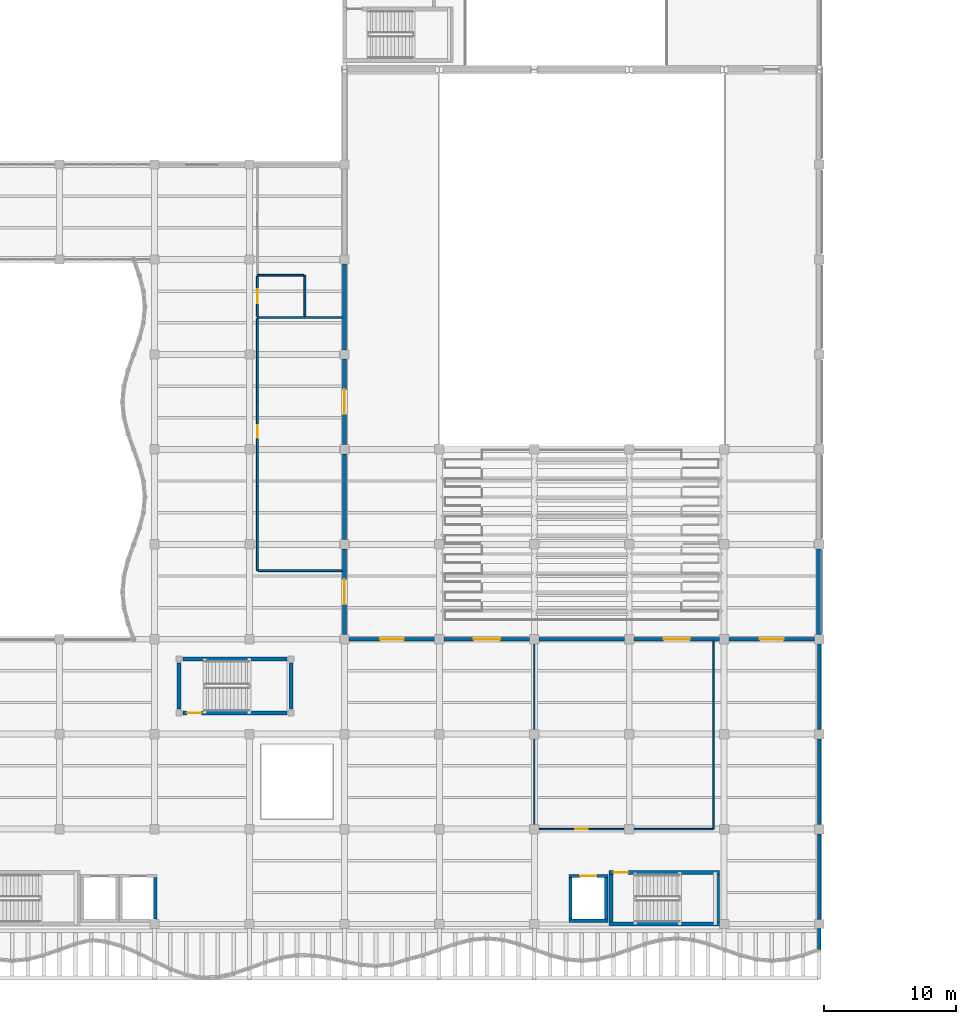
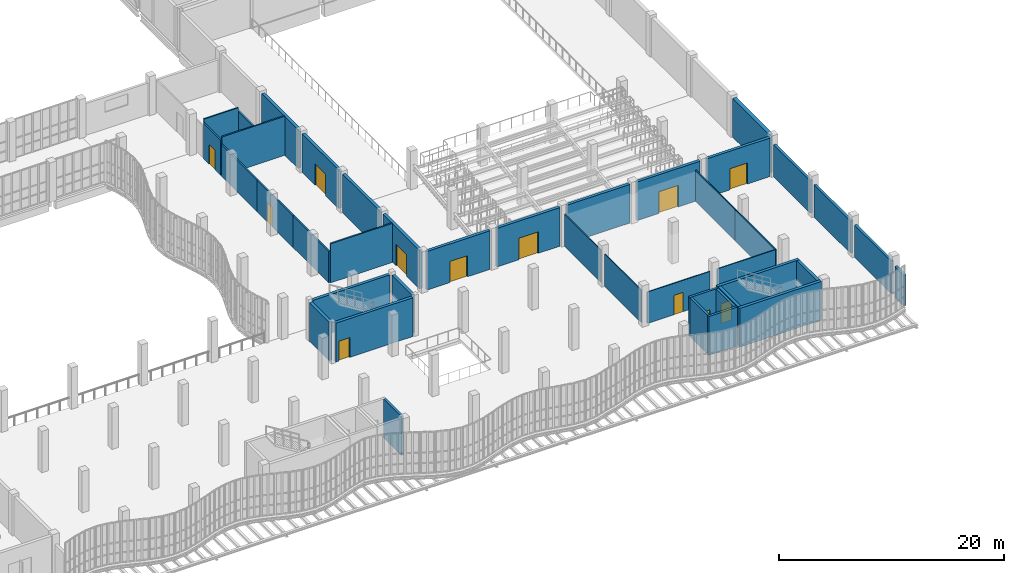
# One storey, part 90 of 108: 41 walls, 12 doors, 12 openings.
"""IFC4 building model written with IfcOpenShell, lengths in metres."""

from ifc_helpers import new_model, si_unit, direction, frame, frame_2d, origin, place, context, subcontext, project, spatial, rectangle, extrude, material, layer, layer_set, type_object, element, fill, save


model = new_model("IFC4")

# Units and contexts
model_context = context("Model", 3, precision=1e-05, world=origin(), true_north=direction((0.0, 1.0)))
body_context = subcontext(model_context, "Body", "Model", "MODEL_VIEW")
ifc_project = project(units=[si_unit("LENGTHUNIT", "METRE"), si_unit("AREAUNIT", "SQUARE_METRE"), si_unit("VOLUMEUNIT", "CUBIC_METRE"), si_unit("PLANEANGLEUNIT", "RADIAN"), si_unit("MASSUNIT", "GRAM", prefix="KILO"), si_unit("THERMODYNAMICTEMPERATUREUNIT", "KELVIN"), si_unit("POWERUNIT", "WATT")], contexts=[model_context])

# Site, building, storey
site_placement = place(None, origin())
site = spatial("IfcSite", under=ifc_project, at=site_placement, CompositionType="ELEMENT")
building_placement = place(site_placement, origin())
building = spatial("IfcBuilding", under=site, at=building_placement, Name="Kaldorven Railside Theatre", CompositionType="ELEMENT")
storey_placement = place(building_placement, frame((0.0, 0.0, 5.39990234375)))
storey = spatial("IfcBuildingStorey", under=building, at=storey_placement, Name="L01", CompositionType="ELEMENT", Elevation=5.39990234375)

# Walls
ifc_material_1 = material(Name="Architectural concrete C40/50", Category="concrete")
ifc_layer_1 = layer(ifc_material_1, 0.3798828125, Name="Architectural concrete C40/50")
ifc_layer_set_1 = layer_set([ifc_layer_1], Name="Architectural concrete C40/50")
wall_type_1 = type_object("IfcWallType", Name="WL-EW02", PredefinedType="SHEAR", material=ifc_layer_set_1)
wall_1_placement = place(storey_placement, frame((123.199951171875, 47.64990234375, 0.0), z_axis=(0.0, 0.0, 1.0), x_axis=(0.0, -1.0, 0.0)))
element("IfcWall", 1, at=wall_1_placement, inside=storey, type_object=wall_type_1, Name="V1 L01 Exterior Wall EW-0250", PredefinedType="SHEAR", context=body_context, shape_type="SweptSolid", body=[
    extrude(rectangle(XDim=6.5, YDim=0.3798828125, at=frame_2d((3.25, 0.0))), origin(), (0.0, 0.0, 1.0), 4.2001953125),
])
ifc_material_2 = material(Name="Precast concrete C40/50", Category="concrete")
ifc_layer_2 = layer(ifc_material_2, 0.25, Name="Precast concrete C40/50")
ifc_layer_set_2 = layer_set([ifc_layer_2], Name="Precast concrete C40/50")
wall_type_2 = type_object("IfcWallType", Name="WL-EW06", PredefinedType="SOLIDWALL", material=ifc_layer_set_2)
for number, where, z_axis, x_axis, name in (
    (2, (123.199951171875, 40.449951171875, 0.0), (0.0, 0.0, 1.0), (0.0, -1.0, 0.0), "V5 L01 Exterior Wall EW-0215"),
    (3, (123.199951171875, 33.25, 0.0), (0.0, 0.0, 1.0), (0.0, -1.0, 0.0), "V5 L01 Exterior Wall EW-0216"),
    (4, (123.199951171875, 26.050048828125, 0.0), (0.0, 0.0, 1.0), (0.0, -1.0, 0.0), "V5 L01 Exterior Wall EW-0217"),
):
    element("IfcWall", number, at=place(storey_placement, frame(where, z_axis=z_axis, x_axis=x_axis)), inside=storey, type_object=wall_type_2, Name=name, PredefinedType="SOLIDWALL", context=body_context, shape_type="SweptSolid", body=[
        extrude(rectangle(XDim=6.5, YDim=0.25, at=frame_2d((3.25, 0.0))), origin(), (0.0, 0.0, 1.0), 3.51513671875),
    ])
wall_2_placement = place(storey_placement, frame((123.199951171875, 17.25, 0.0), z_axis=(0.0, 0.0, 1.0), x_axis=(0.0, 1.0, 0.0)))
element("IfcWall", 5, at=wall_2_placement, inside=storey, type_object=wall_type_2, Name="L01 Sinusoidal Foyer E End Return Wall EW-0471", PredefinedType="SOLIDWALL", context=body_context, shape_type="SweptSolid", body=[
    extrude(rectangle(XDim=1.60009765625, YDim=0.25, at=frame_2d((0.800048828125, 0.0))), origin(), (0.0, 0.0, 1.0), 3.375),
])
ifc_material_3 = material(Name="Acoustic gypsum board")
ifc_layer_3 = layer(ifc_material_3, 0.14990234375, Name="Acoustic gypsum board")
ifc_layer_set_3 = layer_set([ifc_layer_3], Name="Acoustic gypsum board")
wall_type_3 = type_object("IfcWallType", Name="WL-IW-AC1", PredefinedType="PARTITIONING", material=ifc_layer_set_3)
wall_3_placement = place(storey_placement, frame((87.048095703125, 65.199951171875, 0.0), z_axis=(0.0, 0.0, 1.0), x_axis=(-1.0, 0.0, 0.0)))
element("IfcWall", 6, at=wall_3_placement, inside=storey, type_object=wall_type_3, Name="L01 Interior Wall IW-0538", PredefinedType="PARTITIONING", context=body_context, shape_type="SweptSolid", body=[
    extrude(rectangle(XDim=6.447998046875, YDim=0.14990234375, at=frame_2d((3.22412109375, 0.0))), origin(), (0.0, 0.0, 1.0), 4.25),
])
wall_4_placement = place(storey_placement, frame((80.60009765625, 65.123046875, 0.0), z_axis=(0.0, 0.0, 1.0), x_axis=(0.0, -1.0, 0.0)))
element("IfcWall", 7, at=wall_4_placement, inside=storey, type_object=wall_type_3, Name="L01 Interior Wall IW-0539", PredefinedType="PARTITIONING", context=body_context, shape_type="SweptSolid", body=[
    extrude(rectangle(XDim=6.322998046875, YDim=0.14990234375, at=frame_2d((3.16162109375, 0.0))), origin(), (0.0, 0.0, 1.0), 3.445068359375),
])

# Wall, opening, door
wall_5_placement = place(storey_placement, frame((80.60009765625, 58.800048828125, 0.0), z_axis=(0.0, 0.0, 1.0), x_axis=(0.0, -1.0, 0.0)))
wall_5 = element("IfcWall", 8, at=wall_5_placement, inside=storey, type_object=wall_type_3, Name="L01 Interior Wall IW-0540", PredefinedType="PARTITIONING", context=body_context, shape_type="SweptSolid", body=[
    extrude(rectangle(XDim=6.400146484375, YDim=0.14990234375, at=frame_2d((3.2001953125, 0.0))), origin(), (0.0, 0.0, 1.0), 3.445068359375),
])
opening_1_placement = place(wall_5_placement, frame((1.7900390625, 0.0, 0.0)))
opening_1 = element("IfcOpeningElement", 9, at=opening_1_placement, cuts=wall_5, Name="Opening ID-0125", PredefinedType="OPENING", context=body_context, shape_type="SweptSolid", body=[
    extrude(rectangle(XDim=0.919921875, YDim=2.10009765625, at=frame_2d((0.4599609375, 1.050048828125))), frame((0.0, 0.0849609375, 0.0), z_axis=(0.0, -1.0, 0.0), x_axis=(1.0, 0.0, 0.0)), (0.0, 0.0, 1.0), 0.169921875),
])
ifc_material_4 = material(Name="Acoustic hardwood timber", Category="wood")
door_type_1 = type_object("IfcDoorType", Name="DR-ID-WC1", OperationType="NOTDEFINED", PredefinedType="DOOR", material=ifc_material_4)
door_1_placement = place(opening_1_placement, origin())
door_1 = element("IfcDoor", 10, at=door_1_placement, inside=storey, type_object=door_type_1, Name="Circle Public WC Entry Door", OperationType="SINGLE_SWING_LEFT", OverallHeight=2.10009765625, OverallWidth=0.919921875, PredefinedType="DOOR", context=body_context, shape_type="SweptSolid", body=[
    extrude(rectangle(XDim=0.919921875, YDim=2.10009765625, at=frame_2d((0.4599609375, 1.050048828125))), frame((0.0, 0.02490234375, 0.0), z_axis=(0.0, -1.0, 0.0), x_axis=(1.0, 0.0, 0.0)), (0.0, 0.0, 1.0), 0.050048828125),
])
fill(opening_1, door_1)

# Walls
wall_6_placement = place(storey_placement, frame((80.60009765625, 52.39990234375, 0.0), z_axis=(0.0, 0.0, 1.0), x_axis=(0.0, -1.0, 0.0)))
element("IfcWall", 11, at=wall_6_placement, inside=storey, type_object=wall_type_3, Name="L01 Interior Wall IW-0541", PredefinedType="PARTITIONING", context=body_context, shape_type="SweptSolid", body=[
    extrude(rectangle(XDim=6.39990234375, YDim=0.14990234375, at=frame_2d((3.199951171875, 0.0))), origin(), (0.0, 0.0, 1.0), 3.445068359375),
])
wall_7_placement = place(storey_placement, frame((80.677001953125, 46.0, 0.0), z_axis=(0.0, 0.0, 1.0), x_axis=(1.0, 0.0, 0.0)))
element("IfcWall", 12, at=wall_7_placement, inside=storey, type_object=wall_type_3, Name="L01 Interior Wall IW-0542", PredefinedType="PARTITIONING", context=body_context, shape_type="SweptSolid", body=[
    extrude(rectangle(XDim=6.37109375, YDim=0.14990234375, at=frame_2d((3.185546875, 0.0))), origin(), (0.0, 0.0, 1.0), 4.25),
])
ifc_layer_4 = layer(ifc_material_3, 0.139892578125, Name="Acoustic gypsum board")
ifc_layer_set_4 = layer_set([ifc_layer_4], Name="Acoustic gypsum board")
wall_type_4 = type_object("IfcWallType", Name="WL-IW-AC2", PredefinedType="PARTITIONING", material=ifc_layer_set_4)
wall_8_placement = place(storey_placement, frame((84.199951171875, 65.277099609375, 0.0), z_axis=(0.0, 0.0, 1.0), x_axis=(0.0, 1.0, 0.0)))
element("IfcWall", 13, at=wall_8_placement, inside=storey, type_object=wall_type_4, Name="L01 Interior Wall IW-0543", PredefinedType="PARTITIONING", context=body_context, shape_type="SweptSolid", body=[
    extrude(rectangle(XDim=3.122802734375, YDim=0.139892578125, at=frame_2d((1.5615234375, 0.0))), origin(), (0.0, 0.0, 1.0), 3.84521484375),
])
wall_9_placement = place(storey_placement, frame((84.1279296875, 68.39990234375, 0.0), z_axis=(0.0, 0.0, 1.0), x_axis=(-1.0, 0.0, 0.0)))
element("IfcWall", 14, at=wall_9_placement, inside=storey, type_object=wall_type_4, Name="L01 Interior Wall IW-0544", PredefinedType="PARTITIONING", context=body_context, shape_type="SweptSolid", body=[
    extrude(rectangle(XDim=3.52783203125, YDim=0.139892578125, at=frame_2d((1.763916015625, 0.0))), origin(), (0.0, 0.0, 1.0), 4.25),
])

# Wall, opening, door
wall_10_placement = place(storey_placement, frame((80.60009765625, 68.327880859375, 0.0), z_axis=(0.0, 0.0, 1.0), x_axis=(0.0, -1.0, 0.0)))
wall_10 = element("IfcWall", 15, at=wall_10_placement, inside=storey, type_object=wall_type_4, Name="L01 Interior Wall IW-0545", PredefinedType="PARTITIONING", context=body_context, shape_type="SweptSolid", body=[
    extrude(rectangle(XDim=3.05078125, YDim=0.139892578125, at=frame_2d((1.525390625, 0.0))), origin(), (0.0, 0.0, 1.0), 3.84521484375),
])
opening_2_placement = place(wall_10_placement, frame((1.00048828125, 0.0, 0.0)))
opening_2 = element("IfcOpeningElement", 16, at=opening_2_placement, cuts=wall_10, Name="Opening ID-0126", PredefinedType="OPENING", context=body_context, shape_type="SweptSolid", body=[
    extrude(rectangle(XDim=1.050048828125, YDim=2.1201171875, at=frame_2d((0.52490234375, 1.06005859375))), frame((0.0, 0.080078125, 0.0), z_axis=(0.0, -1.0, 0.0), x_axis=(1.0, 0.0, 0.0)), (0.0, 0.0, 1.0), 0.159912109375),
])
door_type_2 = type_object("IfcDoorType", Name="DR-ID-AWC1", OperationType="NOTDEFINED", PredefinedType="DOOR", material=ifc_material_4)
door_2_placement = place(opening_2_placement, origin())
door_2 = element("IfcDoor", 17, at=door_2_placement, inside=storey, type_object=door_type_2, Name="Circle Accessible WC Entry Door", OperationType="SINGLE_SWING_RIGHT", OverallHeight=2.1201171875, OverallWidth=1.050048828125, PredefinedType="DOOR", context=body_context, shape_type="SweptSolid", body=[
    extrude(rectangle(XDim=1.050048828125, YDim=2.1201171875, at=frame_2d((0.52490234375, 1.06005859375))), frame((0.0, 0.02490234375, 0.0), z_axis=(0.0, -1.0, 0.0), x_axis=(1.0, 0.0, 0.0)), (0.0, 0.0, 1.0), 0.050048828125),
])
fill(opening_2, door_2)

# Walls
ifc_material_5 = material(Name="Concrete C40/50", Category="concrete")
ifc_layer_5 = layer(ifc_material_5, 0.300048828125, Name="Concrete C40/50")
ifc_layer_set_5 = layer_set([ifc_layer_5], Name="Concrete C40/50")
wall_type_5 = type_object("IfcWallType", Name="WL-IW-CORE", PredefinedType="SHEAR", material=ifc_layer_set_5)
wall_11_placement = place(storey_placement, frame((115.64990234375, 19.199951171875, 0.0), z_axis=(0.0, 0.0, 1.0), x_axis=(-1.0, 0.0, 0.0)))
element("IfcWall", 18, at=wall_11_placement, inside=storey, type_object=wall_type_5, Name="L01 Core Wall CW-0097", PredefinedType="SHEAR", context=body_context, shape_type="SweptSolid", body=[
    extrude(rectangle(XDim=8.39990234375, YDim=0.300048828125, at=frame_2d((4.199951171875, 0.0))), origin(), (0.0, 0.0, 1.0), 4.22021484375),
])
wall_12_placement = place(storey_placement, frame((107.39990234375, 19.35205078125, 0.0), z_axis=(0.0, 0.0, 1.0), x_axis=(0.0, 1.0, 0.0)))
element("IfcWall", 19, at=wall_12_placement, inside=storey, type_object=wall_type_5, Name="L01 Core Wall CW-0098", PredefinedType="SHEAR", context=body_context, shape_type="SweptSolid", body=[
    extrude(rectangle(XDim=3.597900390625, YDim=0.300048828125, at=frame_2d((1.798828125, 0.0))), origin(), (0.0, 0.0, 1.0), 4.22021484375),
])

# Wall, opening, door
wall_13_placement = place(storey_placement, frame((107.25, 23.10009765625, 0.0), z_axis=(0.0, 0.0, 1.0), x_axis=(1.0, 0.0, 0.0)))
wall_13 = element("IfcWall", 20, at=wall_13_placement, inside=storey, type_object=wall_type_5, Name="L01 Core Wall CW-0099", PredefinedType="SHEAR", context=body_context, shape_type="SweptSolid", body=[
    extrude(rectangle(XDim=8.39990234375, YDim=0.300048828125, at=frame_2d((4.199951171875, 0.0))), origin(), (0.0, 0.0, 1.0), 4.22021484375),
])
opening_3_placement = place(wall_13_placement, frame((0.3701171875, 0.0, 0.0)))
opening_3 = element("IfcOpeningElement", 21, at=opening_3_placement, cuts=wall_13, Name="Opening ID-0015", PredefinedType="OPENING", context=body_context, shape_type="SweptSolid", body=[
    extrude(rectangle(XDim=1.10009765625, YDim=2.14990234375, at=frame_2d((0.550048828125, 1.074951171875))), frame((0.0, 0.16015625, 0.0), z_axis=(0.0, -1.0, 0.0), x_axis=(1.0, 0.0, 0.0)), (0.0, 0.0, 1.0), 0.320068359375),
])
door_type_3 = type_object("IfcDoorType", Name="DR-ID-FD60", OperationType="NOTDEFINED", PredefinedType="DOOR", material=ifc_material_4)
door_3_placement = place(opening_3_placement, origin())
door_3 = element("IfcDoor", 22, at=door_3_placement, inside=storey, type_object=door_type_3, Name="Stair ST-04 Fire Door", OperationType="SINGLE_SWING_LEFT", OverallHeight=2.14990234375, OverallWidth=1.10009765625, PredefinedType="DOOR", context=body_context, shape_type="SweptSolid", body=[
    extrude(rectangle(XDim=1.10009765625, YDim=2.14990234375, at=frame_2d((0.550048828125, 1.074951171875))), frame((0.0, 0.02490234375, 0.0), z_axis=(0.0, -1.0, 0.0), x_axis=(1.0, 0.0, 0.0)), (0.0, 0.0, 1.0), 0.050048828125),
])
fill(opening_3, door_3)

# Wall
wall_14_placement = place(storey_placement, frame((115.5, 22.947998046875, 0.0), z_axis=(0.0, 0.0, 1.0), x_axis=(0.0, -1.0, 0.0)))
element("IfcWall", 23, at=wall_14_placement, inside=storey, type_object=wall_type_5, Name="L01 Core Wall CW-0100", PredefinedType="SHEAR", context=body_context, shape_type="SweptSolid", body=[
    extrude(rectangle(XDim=3.595947265625, YDim=0.300048828125, at=frame_2d((1.7978515625, 0.0))), origin(), (0.0, 0.0, 1.0), 4.22021484375),
])

# Wall, opening, door
wall_15_placement = place(storey_placement, frame((82.85009765625, 35.199951171875, 0.0), z_axis=(0.0, 0.0, 1.0), x_axis=(-1.0, 0.0, 0.0)))
wall_15 = element("IfcWall", 24, at=wall_15_placement, inside=storey, type_object=wall_type_5, Name="L01 Core Wall CW-0293", PredefinedType="SHEAR", context=body_context, shape_type="SweptSolid", body=[
    extrude(rectangle(XDim=7.900146484375, YDim=0.300048828125, at=frame_2d((3.9501953125, 0.0))), origin(), (0.0, 0.0, 1.0), 4.22021484375),
])
opening_4_placement = place(wall_15_placement, frame((6.47998046875, 0.0, 0.0)))
opening_4 = element("IfcOpeningElement", 25, at=opening_4_placement, cuts=wall_15, Name="Opening ID-0047", PredefinedType="OPENING", context=body_context, shape_type="SweptSolid", body=[
    extrude(rectangle(XDim=1.10009765625, YDim=2.14990234375, at=frame_2d((0.550048828125, 1.074951171875))), frame((0.0, 0.16015625, 0.0), z_axis=(0.0, -1.0, 0.0), x_axis=(1.0, 0.0, 0.0)), (0.0, 0.0, 1.0), 0.320068359375),
])
door_4_placement = place(opening_4_placement, origin())
door_4 = element("IfcDoor", 26, at=door_4_placement, inside=storey, type_object=door_type_3, Name="Stair ST-07 Fire Door", OperationType="SINGLE_SWING_LEFT", OverallHeight=2.14990234375, OverallWidth=1.10009765625, PredefinedType="DOOR", context=body_context, shape_type="SweptSolid", body=[
    extrude(rectangle(XDim=1.10009765625, YDim=2.14990234375, at=frame_2d((0.550048828125, 1.074951171875))), frame((0.0, 0.02490234375, 0.0), z_axis=(0.0, -1.0, 0.0), x_axis=(1.0, 0.0, 0.0)), (0.0, 0.0, 1.0), 0.050048828125),
])
fill(opening_4, door_4)

# Walls
wall_16_placement = place(storey_placement, frame((74.64990234375, 35.5, 0.0), z_axis=(0.0, 0.0, 1.0), x_axis=(0.0, 1.0, 0.0)))
element("IfcWall", 27, at=wall_16_placement, inside=storey, type_object=wall_type_5, Name="L01 Core Wall CW-0294", PredefinedType="SHEAR", context=body_context, shape_type="SweptSolid", body=[
    extrude(rectangle(XDim=3.5, YDim=0.300048828125, at=frame_2d((1.75, 0.0))), origin(), (0.0, 0.0, 1.0), 4.22021484375),
])
wall_17_placement = place(storey_placement, frame((74.949951171875, 39.300048828125, 0.0), z_axis=(0.0, 0.0, 1.0), x_axis=(1.0, 0.0, 0.0)))
element("IfcWall", 28, at=wall_17_placement, inside=storey, type_object=wall_type_5, Name="L01 Core Wall CW-0295", PredefinedType="SHEAR", context=body_context, shape_type="SweptSolid", body=[
    extrude(rectangle(XDim=7.900146484375, YDim=0.300048828125, at=frame_2d((3.9501953125, 0.0))), origin(), (0.0, 0.0, 1.0), 4.22021484375),
])
wall_18_placement = place(storey_placement, frame((83.14990234375, 39.0, 0.0), z_axis=(0.0, 0.0, 1.0), x_axis=(0.0, -1.0, 0.0)))
element("IfcWall", 29, at=wall_18_placement, inside=storey, type_object=wall_type_5, Name="L01 Core Wall CW-0296", PredefinedType="SHEAR", context=body_context, shape_type="SweptSolid", body=[
    extrude(rectangle(XDim=3.5, YDim=0.300048828125, at=frame_2d((1.75, 0.0))), origin(), (0.0, 0.0, 1.0), 4.22021484375),
])

# Wall, opening, door
wall_19_placement = place(storey_placement, frame((87.550048828125, 40.800048828125, 0.0), z_axis=(0.0, 0.0, 1.0), x_axis=(1.0, 0.0, 0.0)))
wall_19 = element("IfcWall", 30, at=wall_19_placement, inside=storey, type_object=wall_type_5, Name="L01 Interior Wall AW-0351", PredefinedType="SHEAR", context=body_context, shape_type="SweptSolid", body=[
    extrude(rectangle(XDim=6.5, YDim=0.300048828125, at=frame_2d((3.25, 0.0))), origin(), (0.0, 0.0, 1.0), 4.2001953125),
])
opening_5_placement = place(wall_19_placement, frame((2.35009765625, 0.0, 0.0)))
opening_5 = element("IfcOpeningElement", 31, at=opening_5_placement, cuts=wall_19, Name="Opening ID-0065", PredefinedType="OPENING", context=body_context, shape_type="SweptSolid", body=[
    extrude(rectangle(XDim=1.800048828125, YDim=2.300048828125, at=frame_2d((0.89990234375, 1.14990234375))), frame((0.0, 0.16015625, 0.0), z_axis=(0.0, -1.0, 0.0), x_axis=(1.0, 0.0, 0.0)), (0.0, 0.0, 1.0), 0.320068359375),
])
door_type_4 = type_object("IfcDoorType", Name="DR-ID-SL60", OperationType="NOTDEFINED", PredefinedType="DOOR", material=ifc_material_4)
door_5_placement = place(opening_5_placement, origin())
door_5 = element("IfcDoor", 32, at=door_5_placement, inside=storey, type_object=door_type_4, Name="L01 Auditorium Sound-Lock Portal", OperationType="DOUBLE_DOOR_SINGLE_SWING", OverallHeight=2.300048828125, OverallWidth=1.800048828125, PredefinedType="DOOR", context=body_context, shape_type="SweptSolid", body=[
    extrude(rectangle(XDim=1.800048828125, YDim=2.300048828125, at=frame_2d((0.89990234375, 1.14990234375))), frame((0.0, 0.02490234375, 0.0), z_axis=(0.0, -1.0, 0.0), x_axis=(1.0, 0.0, 0.0)), (0.0, 0.0, 1.0), 0.050048828125),
])
fill(opening_5, door_5)

wall_20_placement = place(storey_placement, frame((94.75, 40.800048828125, 0.0), z_axis=(0.0, 0.0, 1.0), x_axis=(1.0, 0.0, 0.0)))
wall_20 = element("IfcWall", 33, at=wall_20_placement, inside=storey, type_object=wall_type_5, Name="L01 Interior Wall AW-0352", PredefinedType="SHEAR", context=body_context, shape_type="SweptSolid", body=[
    extrude(rectangle(XDim=6.5, YDim=0.300048828125, at=frame_2d((3.25, 0.0))), origin(), (0.0, 0.0, 1.0), 4.2001953125),
])
opening_6_placement = place(wall_20_placement, frame((2.25, 0.0, 0.0)))
opening_6 = element("IfcOpeningElement", 34, at=opening_6_placement, cuts=wall_20, Name="Opening ID-0066", PredefinedType="OPENING", context=body_context, shape_type="SweptSolid", body=[
    extrude(rectangle(XDim=2.0, YDim=2.35009765625, at=frame_2d((1.0, 1.175048828125))), frame((0.0, 0.16015625, 0.0), z_axis=(0.0, -1.0, 0.0), x_axis=(1.0, 0.0, 0.0)), (0.0, 0.0, 1.0), 0.320068359375),
])
door_type_5 = type_object("IfcDoorType", Name="DR-ID-AUD2", OperationType="NOTDEFINED", PredefinedType="DOOR", material=ifc_material_4)
door_6_placement = place(opening_6_placement, origin())
door_6 = element("IfcDoor", 35, at=door_6_placement, inside=storey, type_object=door_type_5, Name="L01 Auditorium Sound-Lock Portal", OperationType="DOUBLE_DOOR_SINGLE_SWING", OverallHeight=2.35009765625, OverallWidth=2.0, PredefinedType="DOOR", context=body_context, shape_type="SweptSolid", body=[
    extrude(rectangle(XDim=2.0, YDim=2.35009765625, at=frame_2d((1.0, 1.175048828125))), frame((0.0, 0.02490234375, 0.0), z_axis=(0.0, -1.0, 0.0), x_axis=(1.0, 0.0, 0.0)), (0.0, 0.0, 1.0), 0.050048828125),
])
fill(opening_6, door_6)

# Wall
wall_21_placement = place(storey_placement, frame((101.949951171875, 40.800048828125, 0.0), z_axis=(0.0, 0.0, 1.0), x_axis=(1.0, 0.0, 0.0)))
element("IfcWall", 36, at=wall_21_placement, inside=storey, type_object=wall_type_5, Name="L01 Interior Wall AW-0353", PredefinedType="SHEAR", context=body_context, shape_type="SweptSolid", body=[
    extrude(rectangle(XDim=6.5, YDim=0.300048828125, at=frame_2d((3.25, 0.0))), origin(), (0.0, 0.0, 1.0), 4.2001953125),
])

# Wall, opening, door
wall_22_placement = place(storey_placement, frame((109.14990234375, 40.800048828125, 0.0), z_axis=(0.0, 0.0, 1.0), x_axis=(1.0, 0.0, 0.0)))
wall_22 = element("IfcWall", 37, at=wall_22_placement, inside=storey, type_object=wall_type_5, Name="L01 Interior Wall AW-0354", PredefinedType="SHEAR", context=body_context, shape_type="SweptSolid", body=[
    extrude(rectangle(XDim=6.5, YDim=0.300048828125, at=frame_2d((3.25, 0.0))), origin(), (0.0, 0.0, 1.0), 4.2001953125),
])
opening_7_placement = place(wall_22_placement, frame((2.25, 0.0, 0.0)))
opening_7 = element("IfcOpeningElement", 38, at=opening_7_placement, cuts=wall_22, Name="Opening ID-0067", PredefinedType="OPENING", context=body_context, shape_type="SweptSolid", body=[
    extrude(rectangle(XDim=2.0, YDim=2.35009765625, at=frame_2d((1.0, 1.175048828125))), frame((0.0, 0.16015625, 0.0), z_axis=(0.0, -1.0, 0.0), x_axis=(1.0, 0.0, 0.0)), (0.0, 0.0, 1.0), 0.320068359375),
])
door_7_placement = place(opening_7_placement, origin())
door_7 = element("IfcDoor", 39, at=door_7_placement, inside=storey, type_object=door_type_5, Name="L01 Auditorium Sound-Lock Portal", OperationType="DOUBLE_DOOR_SINGLE_SWING", OverallHeight=2.35009765625, OverallWidth=2.0, PredefinedType="DOOR", context=body_context, shape_type="SweptSolid", body=[
    extrude(rectangle(XDim=2.0, YDim=2.35009765625, at=frame_2d((1.0, 1.175048828125))), frame((0.0, 0.02490234375, 0.0), z_axis=(0.0, -1.0, 0.0), x_axis=(1.0, 0.0, 0.0)), (0.0, 0.0, 1.0), 0.050048828125),
])
fill(opening_7, door_7)

wall_23_placement = place(storey_placement, frame((116.35009765625, 40.800048828125, 0.0), z_axis=(0.0, 0.0, 1.0), x_axis=(1.0, 0.0, 0.0)))
wall_23 = element("IfcWall", 40, at=wall_23_placement, inside=storey, type_object=wall_type_5, Name="L01 Interior Wall AW-0355", PredefinedType="SHEAR", context=body_context, shape_type="SweptSolid", body=[
    extrude(rectangle(XDim=6.5, YDim=0.300048828125, at=frame_2d((3.25, 0.0))), origin(), (0.0, 0.0, 1.0), 4.2001953125),
])
opening_8_placement = place(wall_23_placement, frame((2.35009765625, 0.0, 0.0)))
opening_8 = element("IfcOpeningElement", 41, at=opening_8_placement, cuts=wall_23, Name="Opening ID-0068", PredefinedType="OPENING", context=body_context, shape_type="SweptSolid", body=[
    extrude(rectangle(XDim=1.800048828125, YDim=2.300048828125, at=frame_2d((0.89990234375, 1.14990234375))), frame((0.0, 0.16015625, 0.0), z_axis=(0.0, -1.0, 0.0), x_axis=(1.0, 0.0, 0.0)), (0.0, 0.0, 1.0), 0.320068359375),
])
door_8_placement = place(opening_8_placement, origin())
door_8 = element("IfcDoor", 42, at=door_8_placement, inside=storey, type_object=door_type_4, Name="L01 Auditorium Sound-Lock Portal", OperationType="DOUBLE_DOOR_SINGLE_SWING", OverallHeight=2.300048828125, OverallWidth=1.800048828125, PredefinedType="DOOR", context=body_context, shape_type="SweptSolid", body=[
    extrude(rectangle(XDim=1.800048828125, YDim=2.300048828125, at=frame_2d((0.89990234375, 1.14990234375))), frame((0.0, 0.02490234375, 0.0), z_axis=(0.0, -1.0, 0.0), x_axis=(1.0, 0.0, 0.0)), (0.0, 0.0, 1.0), 0.050048828125),
])
fill(opening_8, door_8)

wall_24_placement = place(storey_placement, frame((87.199951171875, 41.14990234375, 0.0), z_axis=(0.0, 0.0, 1.0), x_axis=(0.0, 1.0, 0.0)))
wall_24 = element("IfcWall", 43, at=wall_24_placement, inside=storey, type_object=wall_type_5, Name="L01 Interior Wall AW-0356", PredefinedType="SHEAR", context=body_context, shape_type="SweptSolid", body=[
    extrude(rectangle(XDim=6.5, YDim=0.300048828125, at=frame_2d((3.25, 0.0))), origin(), (0.0, 0.0, 1.0), 4.2001953125),
])
opening_9_placement = place(wall_24_placement, frame((2.300048828125, 0.0, 0.0)))
opening_9 = element("IfcOpeningElement", 44, at=opening_9_placement, cuts=wall_24, Name="Opening ID-0069", PredefinedType="OPENING", context=body_context, shape_type="SweptSolid", body=[
    extrude(rectangle(XDim=1.89990234375, YDim=2.35009765625, at=frame_2d((0.949951171875, 1.175048828125))), frame((0.0, 0.16015625, 0.0), z_axis=(0.0, -1.0, 0.0), x_axis=(1.0, 0.0, 0.0)), (0.0, 0.0, 1.0), 0.320068359375),
])
door_type_6 = type_object("IfcDoorType", Name="DR-ID-AUD1", OperationType="NOTDEFINED", PredefinedType="DOOR", material=ifc_material_4)
door_9_placement = place(opening_9_placement, origin())
door_9 = element("IfcDoor", 45, at=door_9_placement, inside=storey, type_object=door_type_6, Name="L01 West Gallery / Vomitory Door", OperationType="DOUBLE_DOOR_SINGLE_SWING", OverallHeight=2.35009765625, OverallWidth=1.89990234375, PredefinedType="DOOR", context=body_context, shape_type="SweptSolid", body=[
    extrude(rectangle(XDim=1.89990234375, YDim=2.35009765625, at=frame_2d((0.949951171875, 1.175048828125))), frame((0.0, 0.02490234375, 0.0), z_axis=(0.0, -1.0, 0.0), x_axis=(1.0, 0.0, 0.0)), (0.0, 0.0, 1.0), 0.050048828125),
])
fill(opening_9, door_9)

# Wall
wall_25_placement = place(storey_placement, frame((87.199951171875, 48.35009765625, 0.0), z_axis=(0.0, 0.0, 1.0), x_axis=(0.0, 1.0, 0.0)))
element("IfcWall", 46, at=wall_25_placement, inside=storey, type_object=wall_type_5, Name="L01 Interior Wall AW-0357", PredefinedType="SHEAR", context=body_context, shape_type="SweptSolid", body=[
    extrude(rectangle(XDim=6.5, YDim=0.300048828125, at=frame_2d((3.25, 0.0))), origin(), (0.0, 0.0, 1.0), 4.2001953125),
])

# Wall, opening, door
wall_26_placement = place(storey_placement, frame((87.199951171875, 55.550048828125, 0.0), z_axis=(0.0, 0.0, 1.0), x_axis=(0.0, 1.0, 0.0)))
wall_26 = element("IfcWall", 47, at=wall_26_placement, inside=storey, type_object=wall_type_5, Name="L01 Interior Wall AW-0358", PredefinedType="SHEAR", context=body_context, shape_type="SweptSolid", body=[
    extrude(rectangle(XDim=6.5, YDim=0.300048828125, at=frame_2d((3.25, 0.0))), origin(), (0.0, 0.0, 1.0), 4.22021484375),
])
opening_10_placement = place(wall_26_placement, frame((2.300048828125, 0.0, 0.0)))
opening_10 = element("IfcOpeningElement", 48, at=opening_10_placement, cuts=wall_26, Name="Opening ID-0070", PredefinedType="OPENING", context=body_context, shape_type="SweptSolid", body=[
    extrude(rectangle(XDim=1.89990234375, YDim=2.35009765625, at=frame_2d((0.949951171875, 1.175048828125))), frame((0.0, 0.16015625, 0.0), z_axis=(0.0, -1.0, 0.0), x_axis=(1.0, 0.0, 0.0)), (0.0, 0.0, 1.0), 0.320068359375),
])
door_10_placement = place(opening_10_placement, origin())
door_10 = element("IfcDoor", 49, at=door_10_placement, inside=storey, type_object=door_type_6, Name="L01 West Gallery / Vomitory Door", OperationType="DOUBLE_DOOR_SINGLE_SWING", OverallHeight=2.35009765625, OverallWidth=1.89990234375, PredefinedType="DOOR", context=body_context, shape_type="SweptSolid", body=[
    extrude(rectangle(XDim=1.89990234375, YDim=2.35009765625, at=frame_2d((0.949951171875, 1.175048828125))), frame((0.0, 0.02490234375, 0.0), z_axis=(0.0, -1.0, 0.0), x_axis=(1.0, 0.0, 0.0)), (0.0, 0.0, 1.0), 0.050048828125),
])
fill(opening_10, door_10)

# Walls
wall_27_placement = place(storey_placement, frame((87.199951171875, 62.75, 0.0), z_axis=(0.0, 0.0, 1.0), x_axis=(0.0, 1.0, 0.0)))
element("IfcWall", 50, at=wall_27_placement, inside=storey, type_object=wall_type_5, Name="L01 Interior Wall AW-0359", PredefinedType="SHEAR", context=body_context, shape_type="SweptSolid", body=[
    extrude(rectangle(XDim=6.5, YDim=0.300048828125, at=frame_2d((3.25, 0.0))), origin(), (0.0, 0.0, 1.0), 4.22021484375),
])
ifc_material_6 = material(Name="Fire-rated acoustic gypsum board")
ifc_layer_6 = layer(ifc_material_6, 0.10009765625, Name="Fire-rated acoustic gypsum board")
ifc_layer_set_6 = layer_set([ifc_layer_6], Name="Fire-rated acoustic gypsum board")
wall_type_6 = type_object("IfcWallType", Name="WL-IW-PT2", PredefinedType="PARTITIONING", material=ifc_layer_set_6)
wall_28_placement = place(storey_placement, frame((115.199951171875, 26.39990234375, 0.0), z_axis=(0.0, 0.0, 1.0), x_axis=(0.0, 1.0, 0.0)))
element("IfcWall", 51, at=wall_28_placement, inside=storey, type_object=wall_type_6, Name="L01 Interior Wall IW-0532", PredefinedType="PARTITIONING", context=body_context, shape_type="SweptSolid", body=[
    extrude(rectangle(XDim=7.2001953125, YDim=0.10009765625, at=frame_2d((3.60009765625, 0.0))), origin(), (0.0, 0.0, 1.0), 3.4150390625),
])
wall_29_placement = place(storey_placement, frame((115.199951171875, 33.60009765625, 0.0), z_axis=(0.0, 0.0, 1.0), x_axis=(0.0, 1.0, 0.0)))
element("IfcWall", 52, at=wall_29_placement, inside=storey, type_object=wall_type_6, Name="L01 Interior Wall IW-0533", PredefinedType="PARTITIONING", context=body_context, shape_type="SweptSolid", body=[
    extrude(rectangle(XDim=7.0478515625, YDim=0.10009765625, at=frame_2d((3.52392578125, 0.0))), origin(), (0.0, 0.0, 1.0), 3.4150390625),
])
for number, where, z_axis, x_axis, name in (
    (53, (101.60009765625, 40.449951171875, 0.0), (0.0, 0.0, 1.0), (0.0, -1.0, 0.0), "L01 Interior Wall IW-0534"),
    (54, (101.60009765625, 33.25, 0.0), (0.0, 0.0, 1.0), (0.0, -1.0, 0.0), "L01 Interior Wall IW-0535"),
):
    element("IfcWall", number, at=place(storey_placement, frame(where, z_axis=z_axis, x_axis=x_axis)), inside=storey, type_object=wall_type_6, Name=name, PredefinedType="PARTITIONING", context=body_context, shape_type="SweptSolid", body=[
        extrude(rectangle(XDim=6.5, YDim=0.10009765625, at=frame_2d((3.25, 0.0))), origin(), (0.0, 0.0, 1.0), 3.51513671875),
    ])

# Wall, opening, door
wall_30_placement = place(storey_placement, frame((101.949951171875, 26.39990234375, 0.0), z_axis=(0.0, 0.0, 1.0), x_axis=(1.0, 0.0, 0.0)))
wall_30 = element("IfcWall", 55, at=wall_30_placement, inside=storey, type_object=wall_type_6, Name="L01 Interior Wall IW-0536", PredefinedType="PARTITIONING", context=body_context, shape_type="SweptSolid", body=[
    extrude(rectangle(XDim=6.449951171875, YDim=0.10009765625, at=frame_2d((3.22509765625, 0.0))), origin(), (0.0, 0.0, 1.0), 3.4150390625),
])
opening_11_placement = place(wall_30_placement, frame((2.764892578125, 0.0, 0.0)))
opening_11 = element("IfcOpeningElement", 56, at=opening_11_placement, cuts=wall_30, Name="Opening ID-0124", PredefinedType="OPENING", context=body_context, shape_type="SweptSolid", body=[
    extrude(rectangle(XDim=0.919921875, YDim=2.10009765625, at=frame_2d((0.4599609375, 1.050048828125))), frame((0.0, 0.06005859375, 0.0), z_axis=(0.0, -1.0, 0.0), x_axis=(1.0, 0.0, 0.0)), (0.0, 0.0, 1.0), 0.1201171875),
])
door_11_placement = place(opening_11_placement, origin())
door_11 = element("IfcDoor", 57, at=door_11_placement, inside=storey, type_object=door_type_1, Name="Exhibition Gallery South Entry Door", OperationType="SINGLE_SWING_RIGHT", OverallHeight=2.10009765625, OverallWidth=0.919921875, PredefinedType="DOOR", context=body_context, shape_type="SweptSolid", body=[
    extrude(rectangle(XDim=0.919921875, YDim=2.10009765625, at=frame_2d((0.4599609375, 1.050048828125))), frame((0.0, 0.02490234375, 0.0), z_axis=(0.0, -1.0, 0.0), x_axis=(1.0, 0.0, 0.0)), (0.0, 0.0, 1.0), 0.050048828125),
])
fill(opening_11, door_11)

# Walls
wall_31_placement = place(storey_placement, frame((109.14990234375, 26.39990234375, 0.0), z_axis=(0.0, 0.0, 1.0), x_axis=(1.0, 0.0, 0.0)))
element("IfcWall", 58, at=wall_31_placement, inside=storey, type_object=wall_type_6, Name="L01 Interior Wall IW-0537", PredefinedType="PARTITIONING", context=body_context, shape_type="SweptSolid", body=[
    extrude(rectangle(XDim=5.998046875, YDim=0.10009765625, at=frame_2d((2.9990234375, 0.0))), origin(), (0.0, 0.0, 1.0), 3.4150390625),
])
ifc_layer_7 = layer(ifc_material_5, 0.239990234375, Name="Concrete C40/50")
ifc_layer_set_7 = layer_set([ifc_layer_7], Name="Concrete C40/50")
wall_type_7 = type_object("IfcWallType", Name="WL-IW-SHAFT", PredefinedType="SHEAR", material=ifc_layer_set_7)
wall_32_placement = place(storey_placement, frame((72.85009765625, 22.72802734375, 0.0), z_axis=(0.0, 0.0, 1.0), x_axis=(0.0, -1.0, 0.0)))
element("IfcWall", 59, at=wall_32_placement, inside=storey, type_object=wall_type_7, Name="L01 Interior Wall SW-0080", PredefinedType="SHEAR", context=body_context, shape_type="SweptSolid", body=[
    extrude(rectangle(XDim=3.157958984375, YDim=0.239990234375, at=frame_2d((1.5791015625, 0.0))), origin(), (0.0, 0.0, 1.0), 4.22021484375),
])
wall_33_placement = place(storey_placement, frame((107.169921875, 19.449951171875, 0.0), z_axis=(0.0, 0.0, 1.0), x_axis=(-1.0, 0.0, 0.0)))
element("IfcWall", 60, at=wall_33_placement, inside=storey, type_object=wall_type_7, Name="L01 Interior Wall SW-0117", PredefinedType="SHEAR", context=body_context, shape_type="SweptSolid", body=[
    extrude(rectangle(XDim=2.93994140625, YDim=0.239990234375, at=frame_2d((1.469970703125, 0.0))), origin(), (0.0, 0.0, 1.0), 4.22021484375),
])
wall_34_placement = place(storey_placement, frame((104.35009765625, 19.572021484375, 0.0), z_axis=(0.0, 0.0, 1.0), x_axis=(0.0, 1.0, 0.0)))
element("IfcWall", 61, at=wall_34_placement, inside=storey, type_object=wall_type_7, Name="L01 Interior Wall SW-0118", PredefinedType="SHEAR", context=body_context, shape_type="SweptSolid", body=[
    extrude(rectangle(XDim=3.157958984375, YDim=0.239990234375, at=frame_2d((1.5791015625, 0.0))), origin(), (0.0, 0.0, 1.0), 4.22021484375),
])

# Wall, opening, door
wall_35_placement = place(storey_placement, frame((104.22998046875, 22.85009765625, 0.0), z_axis=(0.0, 0.0, 1.0), x_axis=(1.0, 0.0, 0.0)))
wall_35 = element("IfcWall", 62, at=wall_35_placement, inside=storey, type_object=wall_type_7, Name="L01 Interior Wall SW-0119", PredefinedType="SHEAR", context=body_context, shape_type="SweptSolid", body=[
    extrude(rectangle(XDim=2.93994140625, YDim=0.239990234375, at=frame_2d((1.469970703125, 0.0))), origin(), (0.0, 0.0, 1.0), 4.22021484375),
])
opening_12_placement = place(wall_35_placement, frame((0.8701171875, 0.0, 0.0)))
opening_12 = element("IfcOpeningElement", 63, at=opening_12_placement, cuts=wall_35, Name="Opening LD-013", PredefinedType="OPENING", context=body_context, shape_type="SweptSolid", body=[
    extrude(rectangle(XDim=1.199951171875, YDim=2.14990234375, at=frame_2d((0.60009765625, 1.074951171875))), frame((0.0, 0.1298828125, 0.0), z_axis=(0.0, -1.0, 0.0), x_axis=(1.0, 0.0, 0.0)), (0.0, 0.0, 1.0), 0.260009765625),
])
ifc_material_7 = material(Name="Powder-coated hollow-metal steel", Category="steel")
door_type_7 = type_object("IfcDoorType", Name="DR-LD-PASS", OperationType="NOTDEFINED", PredefinedType="DOOR", material=ifc_material_7)
door_12_placement = place(opening_12_placement, origin())
door_12 = element("IfcDoor", 64, at=door_12_placement, inside=storey, type_object=door_type_7, Name="Lift LF-P3 Sliding Landing Door", OperationType="DOUBLE_DOOR_SLIDING", OverallHeight=2.14990234375, OverallWidth=1.199951171875, PredefinedType="DOOR", context=body_context, shape_type="SweptSolid", body=[
    extrude(rectangle(XDim=1.199951171875, YDim=2.14990234375, at=frame_2d((0.60009765625, 1.074951171875))), frame((0.0, 0.02490234375, 0.0), z_axis=(0.0, -1.0, 0.0), x_axis=(1.0, 0.0, 0.0)), (0.0, 0.0, 1.0), 0.050048828125),
])
fill(opening_12, door_12)

# Wall
wall_36_placement = place(storey_placement, frame((107.050048828125, 22.72802734375, 0.0), z_axis=(0.0, 0.0, 1.0), x_axis=(0.0, -1.0, 0.0)))
element("IfcWall", 65, at=wall_36_placement, inside=storey, type_object=wall_type_7, Name="L01 Interior Wall SW-0120", PredefinedType="SHEAR", context=body_context, shape_type="SweptSolid", body=[
    extrude(rectangle(XDim=3.156005859375, YDim=0.239990234375, at=frame_2d((1.578125, 0.0))), origin(), (0.0, 0.0, 1.0), 4.22021484375),
])

save(model, "model.ifc")
